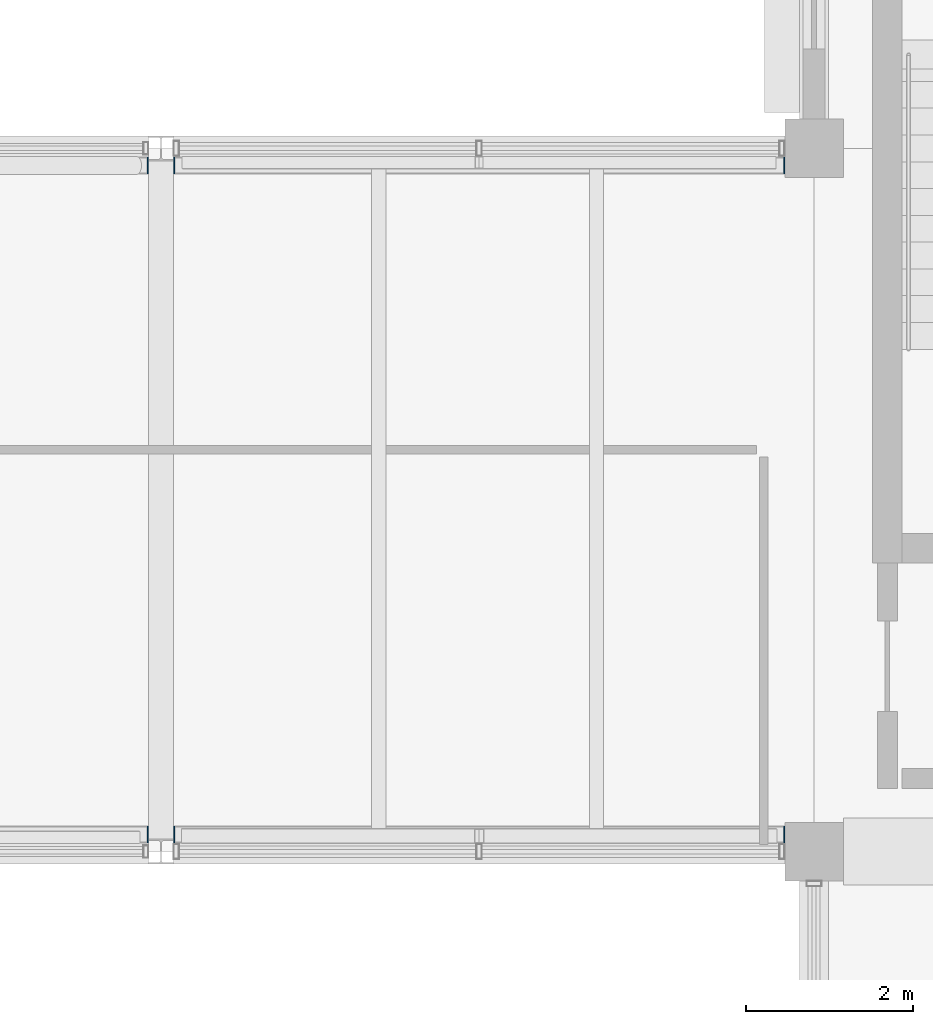
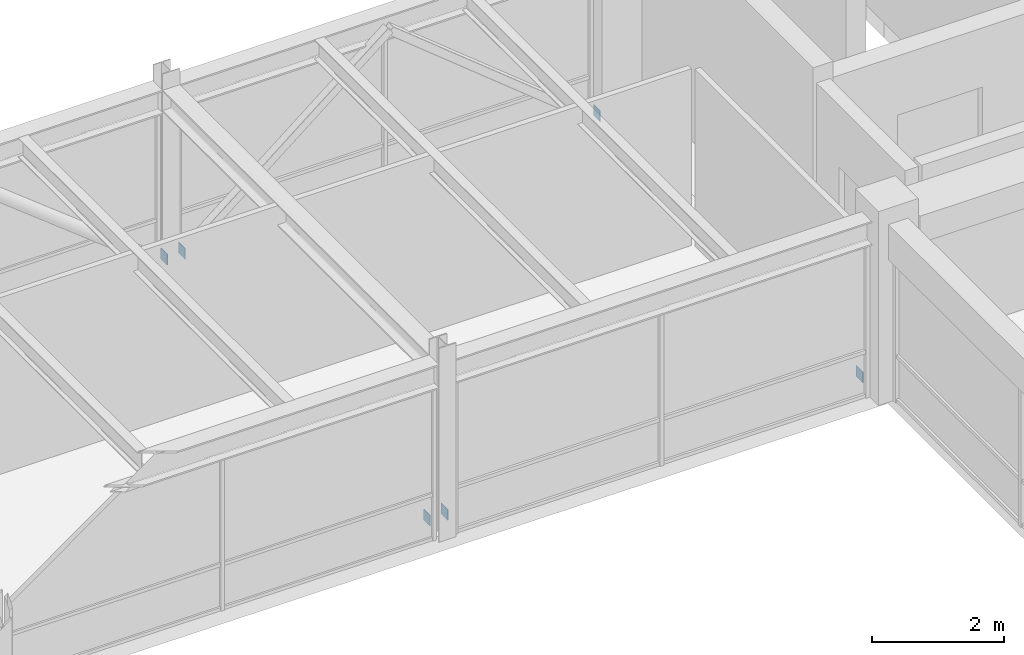
# One storey, part 36 of 49: 6 plates.
"""IFC4 building model written with IfcOpenShell, lengths in metres."""

import ifcopenshell
import ifcopenshell.guid

model = None  # the IFC model being written
_history = None  # IfcOwnerHistory: only IFC2X3 demands one
_inside = {}  # id of a spatial element -> (the spatial element, [elements in it])
_under = {}  # id of a project, library or spatial element -> (it, [spatial elements below it])
_declared = {}  # id of a project -> (the project, [libraries it declares])
_typed = {}  # id of a type object -> (the type object, [elements of that type])
_made_of = {}  # id of a material, layer set ... -> (it, [elements and type objects made of it])


def new_model(schema):
    """Start an empty IFC model of exactly this schema.

    Asked for "IFC4X3", IfcOpenShell would pick the latest addendum, in which some entities
    have other attributes; the version numbers below select the first issue.
    IFC2X3 requires an IfcOwnerHistory on every rooted entity: one is made here for all.
    """
    global model, _history
    if schema == "IFC4X3":
        model = ifcopenshell.file(schema_version=(4, 3, 0, 0))
    else:
        model = ifcopenshell.file(schema=schema)
    _inside.clear()
    _under.clear()
    _declared.clear()
    _typed.clear()
    _made_of.clear()
    _history = None
    if model.schema == "IFC2X3":
        org = make("IfcOrganization", Name="unknown")
        user = make(
            "IfcPersonAndOrganization",
            ThePerson=make("IfcPerson", FamilyName="unknown"),
            TheOrganization=org,
        )
        app = make(
            "IfcApplication",
            ApplicationDeveloper=org,
            Version="unknown",
            ApplicationFullName="unknown",
            ApplicationIdentifier="unknown",
        )
        _history = make(
            "IfcOwnerHistory",
            OwningUser=user,
            OwningApplication=app,
            ChangeAction="ADDED",
            CreationDate=0,
        )
    return model


def make(cls, **values):
    """One entity of the class cls with the attributes given. An attribute that is None is left unset."""
    return model.create_entity(
        cls, **{name: value for name, value in values.items() if value is not None}
    )


def rooted(cls, **values):
    """An entity with a GlobalId (a new one), such as an element, a storey or a relation."""
    return make(cls, GlobalId=ifcopenshell.guid.new(), OwnerHistory=_history, **values)


def si_unit(unit_type, name, prefix=None):
    """IfcSIUnit, for example si_unit("LENGTHUNIT", "METRE", prefix="MILLI")."""
    return make("IfcSIUnit", UnitType=unit_type, Prefix=prefix, Name=name)


def assignment(units):
    """IfcUnitAssignment: the units of a project."""
    return None if units is None else make("IfcUnitAssignment", Units=units)


def point(xyz):
    """IfcCartesianPoint."""
    return None if xyz is None else make("IfcCartesianPoint", Coordinates=xyz)


def direction(xyz):
    """IfcDirection."""
    return None if xyz is None else make("IfcDirection", DirectionRatios=xyz)


def frame(location, z_axis=None, x_axis=None):
    """IfcAxis2Placement3D, a coordinate frame: its origin and axes. An axis left out is left unset."""
    return make(
        "IfcAxis2Placement3D",
        Location=point(location),
        Axis=direction(z_axis),
        RefDirection=direction(x_axis),
    )


def frame_2d(location, x_axis=None):
    """IfcAxis2Placement2D, a coordinate frame in the plane: its origin and x axis."""
    return make(
        "IfcAxis2Placement2D", Location=point(location), RefDirection=direction(x_axis)
    )


def origin():
    """The frame at (0, 0, 0) with its axes left unset."""
    return frame((0.0, 0.0, 0.0))


def origin_2d():
    """The frame at (0, 0) in the plane with its x axis left unset."""
    return frame_2d((0.0, 0.0))


def place(relative_to, where):
    """IfcLocalPlacement: puts the frame where relative to a parent placement (None: the world)."""
    return make(
        "IfcLocalPlacement", PlacementRelTo=relative_to, RelativePlacement=where
    )


def context(
    kind, dimensions, precision=None, world=None, true_north=None, identifier=None
):
    """IfcGeometricRepresentationContext, for example the 3D "Model" context."""
    return make(
        "IfcGeometricRepresentationContext",
        ContextIdentifier=identifier,
        ContextType=kind,
        CoordinateSpaceDimension=dimensions,
        Precision=precision,
        WorldCoordinateSystem=world,
        TrueNorth=true_north,
    )


def subcontext(parent, identifier, kind, view, scale=None):
    """IfcGeometricRepresentationSubContext, for example "Body" below "Model"."""
    return make(
        "IfcGeometricRepresentationSubContext",
        ContextIdentifier=identifier,
        ContextType=kind,
        ParentContext=parent,
        TargetScale=scale,
        TargetView=view,
    )


def project(units=None, contexts=None):
    """IfcProject with its units and contexts."""
    return rooted(
        "IfcProject",
        Name="project",
        RepresentationContexts=contexts,
        UnitsInContext=assignment(units),
    )


def spatial(cls, under=None, at=None, **own):
    """A site, building, storey or space (cls), placed at a placement, below another one or the project."""
    s = rooted(cls, ObjectPlacement=at, **own)
    if under is not None:
        _under.setdefault(under.id(), (under, []))[1].append(s)
    return s


def profile(cls, at=None, kind="AREA", **sizes):
    """A parametric profile (cls). Its sizes go by their IFC names, for example OverallWidth=200.0."""
    return make(cls, ProfileType=kind, Position=at, **sizes)


def rectangle(**sizes):
    """IfcRectangleProfileDef."""
    return profile("IfcRectangleProfileDef", **sizes)


def extrude(swept, where, along, depth):
    """IfcExtrudedAreaSolid: the profile swept, set in the frame where, extruded along a direction by depth."""
    return make(
        "IfcExtrudedAreaSolid",
        SweptArea=swept,
        Position=where,
        ExtrudedDirection=direction(along),
        Depth=depth,
    )


def shape(context_of_items, identifier, shape_type, items):
    """IfcShapeRepresentation: the items that make up one representation, for example the "Body"."""
    return make(
        "IfcShapeRepresentation",
        ContextOfItems=context_of_items,
        RepresentationIdentifier=identifier,
        RepresentationType=shape_type,
        Items=items,
    )


def material(Name=None, Category=None):
    """IfcMaterial."""
    return make("IfcMaterial", Name=Name, Category=Category)


def layer(
    of_material, thickness, ventilated=None, Name=None, Category=None, Priority=None
):
    """IfcMaterialLayer: one layer of a wall or slab, of a material (None: an air gap)."""
    return make(
        "IfcMaterialLayer",
        Material=of_material,
        LayerThickness=thickness,
        IsVentilated=ventilated,
        Name=Name,
        Category=Category,
        Priority=Priority,
    )


def layer_set(layers, Name=None):
    """IfcMaterialLayerSet."""
    return make("IfcMaterialLayerSet", MaterialLayers=layers, LayerSetName=Name)


def made_of(thing, what):
    """Note that an element or type object is made of a material, layer set ...; save() writes the relation."""
    if what is not None:
        _made_of.setdefault(what.id(), (what, []))[1].append(thing)
    return thing


def type_object(cls, material=None, **own):
    """A type object (cls), such as IfcWallType, which elements share."""
    return made_of(rooted(cls, **own), material)


def element(
    cls,
    number,
    at=None,
    inside=None,
    cuts=None,
    type_object=None,
    material=None,
    context=None,
    identifier="Body",
    shape_type=None,
    held_by="IfcProductDefinitionShape",
    body=None,
    shapes=None,
    **own,
):
    """One element of the class cls, such as IfcWall. Its Tag is "e" and its number.

    at: its placement. inside: the storey or other place that contains it. cuts: it is an
    opening in that element (IfcRelVoidsElement). A single representation is given by context,
    identifier, shape_type and body (its items); several are given by shapes. held_by: the class
    of the entity that holds the representations. save() writes the other relations.
    """
    e = rooted(cls, Tag="e%d" % number, ObjectPlacement=at, **own)
    if body is not None:
        shapes = [shape(context, identifier, shape_type, body)]
    if shapes is not None:
        e.Representation = make(held_by, Representations=shapes)
    if inside is not None:
        _inside.setdefault(inside.id(), (inside, []))[1].append(e)
    if cuts is not None:
        rooted(
            "IfcRelVoidsElement", RelatingBuildingElement=cuts, RelatedOpeningElement=e
        )
    if type_object is not None:
        _typed.setdefault(type_object.id(), (type_object, []))[1].append(e)
    return made_of(e, material)


def aggregate(whole, parts):
    """IfcRelAggregates: a whole, such as a stair, and the parts it consists of."""
    return rooted("IfcRelAggregates", RelatingObject=whole, RelatedObjects=parts)


def save(model, path):
    """Write the relations noted so far, then the file.

    IfcRelAggregates (storeys below a building ...), IfcRelContainedInSpatialStructure (elements
    in a storey), IfcRelDefinesByType, IfcRelAssociatesMaterial and IfcRelDeclares: one each for
    every whole, place, type object, material and project.
    """
    for whole, parts in _under.values():
        aggregate(whole, parts)
    for where, things in _inside.values():
        rooted(
            "IfcRelContainedInSpatialStructure",
            RelatedElements=things,
            RelatingStructure=where,
        )
    for kind, things in _typed.values():
        rooted("IfcRelDefinesByType", RelatedObjects=things, RelatingType=kind)
    for what, things in _made_of.values():
        rooted("IfcRelAssociatesMaterial", RelatedObjects=things, RelatingMaterial=what)
    for by, libraries in _declared.values():
        rooted("IfcRelDeclares", RelatingContext=by, RelatedDefinitions=libraries)
    model.write(path)


model = new_model("IFC4")

# Units and contexts
model_context = context("Model", 3, precision=1e-05, world=origin(), true_north=direction((0.0, 1.0)))
body_context = subcontext(model_context, "Body", "Model", "MODEL_VIEW")
ifc_project = project(units=[si_unit("LENGTHUNIT", "METRE"), si_unit("AREAUNIT", "SQUARE_METRE"), si_unit("VOLUMEUNIT", "CUBIC_METRE"), si_unit("PLANEANGLEUNIT", "RADIAN"), si_unit("MASSUNIT", "GRAM", prefix="KILO"), si_unit("THERMODYNAMICTEMPERATUREUNIT", "KELVIN"), si_unit("POWERUNIT", "WATT")], contexts=[model_context])

# Site, building, storey
site_placement = place(None, origin())
site = spatial("IfcSite", under=ifc_project, at=site_placement, CompositionType="ELEMENT")
building_placement = place(site_placement, origin())
building = spatial("IfcBuilding", under=site, at=building_placement, Name="Srebrne Nadtorze General Hospital", CompositionType="ELEMENT")
storey_placement = place(building_placement, frame((0.0, 0.0, 26.10009765625)))
storey = spatial("IfcBuildingStorey", under=building, at=storey_placement, Name="L06", CompositionType="ELEMENT", Elevation=26.10009765625)

# Plates
ifc_material = material(Name="Steel S355J2", Category="steel")
ifc_layer = layer(ifc_material, 0.011962890625)
ifc_layer_set = layer_set([ifc_layer], Name="Steel S355J2")
plate_type = type_object("IfcPlateType", Name="Steel bearing plate 12", PredefinedType="SHEET", material=ifc_layer_set)
for number, where, z_axis, x_axis, name in (
    (1, (93.444091796875, 50.60498046875, 0.14990234375), (0.0, 0.0, 1.0), (1.0, 0.0, 0.0), "Clinical courtyard bridge truss chord end plate 17-2"),
    (2, (93.756103515625, 50.60498046875, 0.14990234375), (0.0, 0.0, 1.0), (1.0, 0.0, 0.0), "Clinical courtyard bridge truss chord end plate 18-1"),
    (3, (101.0439453125, 50.60498046875, 0.14990234375), (0.0, 0.0, 1.0), (1.0, 0.0, 0.0), "Clinical courtyard bridge truss chord end plate 18-2"),
    (4, (93.444091796875, 58.594970703125, 0.14990234375), (0.0, 0.0, 1.0), (1.0, 0.0, 0.0), "Clinical courtyard bridge truss chord end plate 23-2"),
    (5, (93.756103515625, 58.594970703125, 0.14990234375), (0.0, 0.0, 1.0), (1.0, 0.0, 0.0), "Clinical courtyard bridge truss chord end plate 24-1"),
    (6, (101.0439453125, 58.594970703125, 0.14990234375), (0.0, 0.0, 1.0), (1.0, 0.0, 0.0), "Clinical courtyard bridge truss chord end plate 24-2"),
):
    element("IfcPlate", number, at=place(storey_placement, frame(where, z_axis=z_axis, x_axis=x_axis)), inside=storey, type_object=plate_type, Name=name, PredefinedType="SHEET", context=body_context, shape_type="SweptSolid", body=[
        extrude(rectangle(XDim=0.011962890625, YDim=0.199951171875, at=origin_2d()), origin(), (0.0, 0.0, 1.0), 0.199951171875),
    ])

save(model, "model.ifc")
